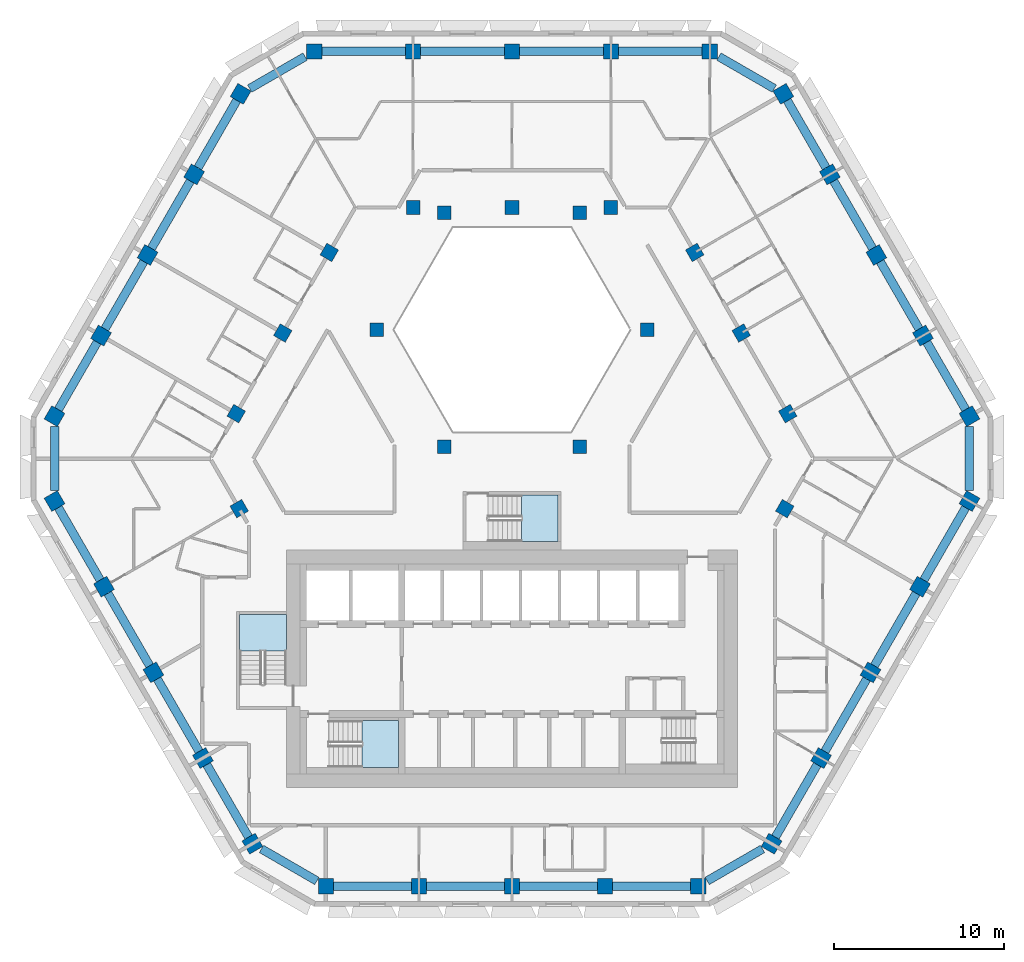
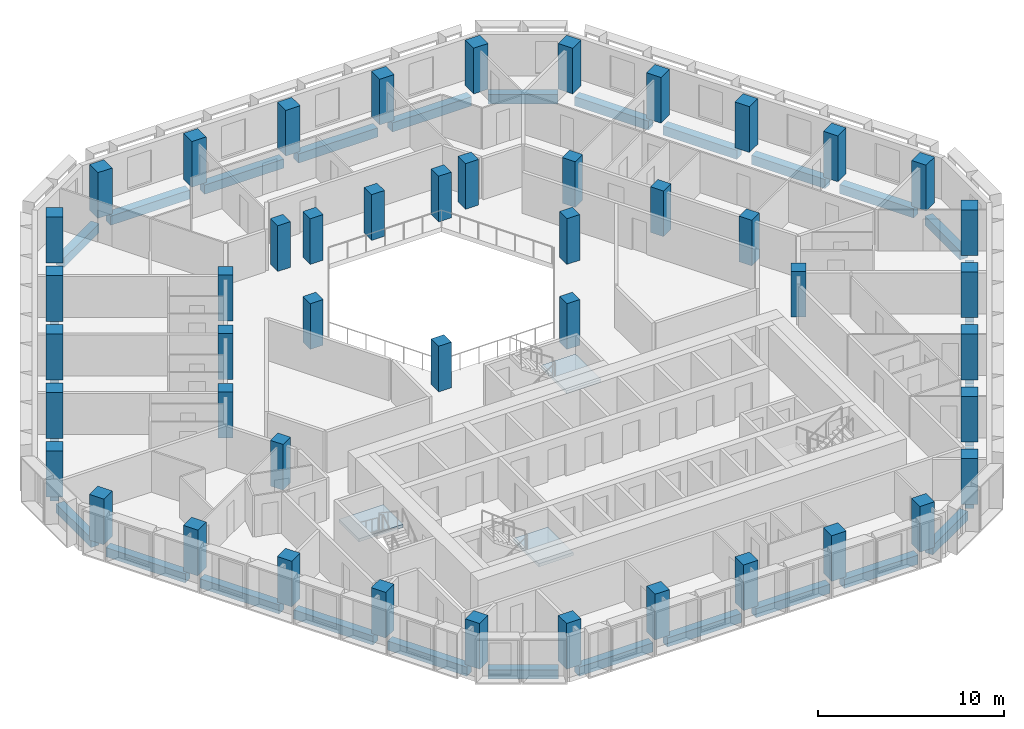
# One storey, part 1 of 15: 47 columns, 30 beams, 3 slabs, 3 elements without a shape of their own.
"""IFC4 building model written with IfcOpenShell, lengths in metres."""

from ifc_helpers import new_model, si_unit, direction, frame, origin, origin_2d, place, context, subcontext, project, spatial, polyline, rectangle, outline, extrude, material, layer, layer_set, material_profile, profile_set, type_object, element, aggregate, save


model = new_model("IFC4")

# Units and contexts
model_context = context("Model", 3, precision=1e-05, world=origin(), true_north=direction((0.0, 1.0)))
body_context = subcontext(model_context, "Body", "Model", "MODEL_VIEW")
ifc_project = project(units=[si_unit("LENGTHUNIT", "METRE"), si_unit("AREAUNIT", "SQUARE_METRE"), si_unit("VOLUMEUNIT", "CUBIC_METRE"), si_unit("PLANEANGLEUNIT", "RADIAN"), si_unit("MASSUNIT", "GRAM", prefix="KILO")], contexts=[model_context])

# Site, building, storey
site_placement = place(None, origin())
site = spatial("IfcSite", under=ifc_project, at=site_placement, CompositionType="ELEMENT")
building_placement = place(site_placement, origin())
building = spatial("IfcBuilding", under=site, at=building_placement, Name="Beryl Residences", CompositionType="ELEMENT")
storey_placement = place(building_placement, frame((0.0, 0.0, 141.60009765625)))
storey = spatial("IfcBuildingStorey", under=building, at=storey_placement, Name="L43", CompositionType="ELEMENT", Elevation=141.60009765625)

# Columns
ifc_material_1 = material(Name="Concrete C60/75", Category="concrete")
ifc_material_profile_1 = material_profile(ifc_material_1, rectangle(XDim=0.89990234375, YDim=0.89990234375, at=origin_2d()))
ifc_profile_set_1 = profile_set([ifc_material_profile_1], Name="Concrete C60/75")
column_type_1 = type_object("IfcColumnType", Name="C3 tube column 900 x 900 C60/75", PredefinedType="COLUMN", material=ifc_profile_set_1)
for number, where, z_axis, x_axis, name in (
    (1, (11.662109375, 24.39990234375, 0.0), (0.0, 0.0, 1.0), (-1.0, 0.0, 0.0), "C3-N1 L43"),
    (2, (5.8310546875, 24.39990234375, 0.0), (0.0, 0.0, 1.0), (-1.0, 0.0, 0.0), "C3-N2 L43"),
    (3, (0.0, 24.39990234375, 0.0), (0.0, 0.0, 1.0), (-1.0, 0.0, 0.0), "C3-N3 L43"),
    (4, (-5.8310546875, 24.39990234375, 0.0), (0.0, 0.0, 1.0), (-1.0, 0.0, 0.0), "C3-N4 L43"),
    (5, (-11.662109375, 24.39990234375, 0.0), (0.0, 0.0, 1.0), (-1.0, 0.0, 0.0), "C3-N5 L43"),
    (6, (-15.992919921875, 21.89990234375, 0.0), (0.0, 0.0, 1.0), (-0.5, -0.866025403784, 0.0), "C3-NW1 L43"),
    (7, (-18.735107421875, 17.14990234375, 0.0), (0.0, 0.0, 1.0), (-0.5, -0.866025403784, 0.0), "C3-NW2 L43"),
    (8, (-21.47802734375, 12.39990234375, 0.0), (0.0, 0.0, 1.0), (-0.5, -0.866025403784, 0.0), "C3-NW3 L43"),
    (9, (-24.219970703125, 7.64990234375, 0.0), (0.0, 0.0, 1.0), (-0.5, -0.866025403784, 0.0), "C3-NW4 L43"),
    (10, (-26.962890625, 2.89990234375, 0.0), (0.0, 0.0, 1.0), (-0.5, -0.866025403784, 0.0), "C3-NW5 L43"),
    (11, (-26.9619140625, -2.10009765625, 0.0), (0.0, 0.0, 1.0), (0.5, -0.866025403784, 0.0), "C3-SW1 L43"),
    (12, (-24.047119140625, -7.14892578125, 0.0), (0.0, 0.0, 1.0), (0.5, -0.866025403784, 0.0), "C3-SW2 L43"),
    (13, (-21.131103515625, -12.198974609375, 0.0), (0.0, 0.0, 1.0), (0.5, -0.866025403784, 0.0), "C3-SW3 L43"),
    (14, (-18.216064453125, -17.2490234375, 0.0), (0.0, 0.0, 1.0), (0.5, -0.866025403784, 0.0), "C3-SW4 L43"),
    (15, (-15.300048828125, -22.299072265625, 0.0), (0.0, 0.0, 1.0), (0.5, -0.866025403784, 0.0), "C3-SW5 L43"),
    (16, (-10.968994140625, -24.800048828125, 0.0), (0.0, 0.0, 1.0), (1.0, 0.0, 0.0), "C3-S1 L43"),
    (17, (-5.48388671875, -24.800048828125, 0.0), (0.0, 0.0, 1.0), (1.0, 0.0, 0.0), "C3-S2 L43"),
    (18, (0.0009765625, -24.800048828125, 0.0), (0.0, 0.0, 1.0), (1.0, 0.0, 0.0), "C3-S3 L43"),
    (19, (5.486083984375, -24.800048828125, 0.0), (0.0, 0.0, 1.0), (1.0, 0.0, 0.0), "C3-S4 L43"),
    (20, (10.970947265625, -24.800048828125, 0.0), (0.0, 0.0, 1.0), (1.0, 0.0, 0.0), "C3-S5 L43"),
    (21, (15.299072265625, -22.300048828125, 0.0), (0.0, 0.0, 1.0), (0.5, 0.866025403784, 0.0), "C3-SE1 L43"),
    (22, (18.215087890625, -17.2509765625, 0.0), (0.0, 0.0, 1.0), (0.5, 0.866025403784, 0.0), "C3-SE2 L43"),
    (23, (21.1298828125, -12.200927734375, 0.0), (0.0, 0.0, 1.0), (0.5, 0.866025403784, 0.0), "C3-SE3 L43"),
    (24, (24.0458984375, -7.15087890625, 0.0), (0.0, 0.0, 1.0), (0.5, 0.866025403784, 0.0), "C3-SE4 L43"),
    (25, (26.9609375, -2.10107421875, 0.0), (0.0, 0.0, 1.0), (0.5, 0.866025403784, 0.0), "C3-SE5 L43"),
    (26, (26.962890625, 2.89990234375, 0.0), (0.0, 0.0, 1.0), (-0.5, 0.866025403784, 0.0), "C3-NE1 L43"),
    (27, (24.219970703125, 7.64990234375, 0.0), (0.0, 0.0, 1.0), (-0.5, 0.866025403784, 0.0), "C3-NE2 L43"),
    (28, (21.47802734375, 12.39990234375, 0.0), (0.0, 0.0, 1.0), (-0.5, 0.866025403784, 0.0), "C3-NE3 L43"),
    (29, (18.735107421875, 17.14990234375, 0.0), (0.0, 0.0, 1.0), (-0.5, 0.866025403784, 0.0), "C3-NE4 L43"),
    (30, (15.992919921875, 21.89990234375, 0.0), (0.0, 0.0, 1.0), (-0.5, 0.866025403784, 0.0), "C3-NE5 L43"),
):
    element("IfcColumn", number, at=place(storey_placement, frame(where, z_axis=z_axis, x_axis=x_axis)), inside=storey, type_object=column_type_1, Name=name, PredefinedType="COLUMN", context=body_context, shape_type="SweptSolid", body=[
        extrude(rectangle(XDim=0.89990234375, YDim=0.89990234375, at=origin_2d()), origin(), (0.0, 0.0, 1.0), 3.0),
    ])
ifc_material_2 = material(Name="Concrete C60/75", Category="concrete")
ifc_material_profile_2 = material_profile(ifc_material_2, rectangle(XDim=0.800048828125, YDim=0.800048828125, at=origin_2d()))
ifc_profile_set_2 = profile_set([ifc_material_profile_2], Name="Concrete C60/75")
column_type_2 = type_object("IfcColumnType", Name="IC3 interior column 800 x 800 C60/75", PredefinedType="COLUMN", material=ifc_profile_set_2)
for number, where, z_axis, x_axis, name in (
    (31, (-16.0791015625, -2.549072265625, 0.0), (0.0, 0.0, 1.0), (0.5, -0.866025403784, 0.0), "IC3-M01 L43"),
    (32, (16.077880859375, -2.551025390625, 0.0), (0.0, 0.0, 1.0), (0.5, 0.866025403784, 0.0), "IC3-M02 L43"),
    (33, (16.2529296875, 3.050048828125, 0.0), (0.0, 0.0, 1.0), (-0.5, 0.866025403784, 0.0), "IC3-M03 L43"),
    (34, (3.98388671875, 1.10009765625, 0.0), (0.0, 0.0, 1.0), (1.0, 0.0, 0.0), "IC3-A04 L43"),
    (35, (13.510009765625, 7.800048828125, 0.0), (0.0, 0.0, 1.0), (-0.5, 0.866025403784, 0.0), "IC3-M05 L43"),
    (36, (7.967041015625, 8.0, 0.0), (0.0, 0.0, 1.0), (1.0, 0.0, 0.0), "IC3-A06 L43"),
    (37, (10.76806640625, 12.550048828125, 0.0), (0.0, 0.0, 1.0), (-0.5, 0.866025403784, 0.0), "IC3-M07 L43"),
    (38, (5.8310546875, 15.199951171875, 0.0), (0.0, 0.0, 1.0), (-1.0, 0.0, 0.0), "IC3-M08 L43"),
    (39, (3.98388671875, 14.89990234375, 0.0), (0.0, 0.0, 1.0), (1.0, 0.0, 0.0), "IC3-A09 L43"),
    (40, (0.0, 15.199951171875, 0.0), (0.0, 0.0, 1.0), (-1.0, 0.0, 0.0), "IC3-M10 L43"),
    (41, (-3.98388671875, 14.89990234375, 0.0), (0.0, 0.0, 1.0), (1.0, 0.0, 0.0), "IC3-A11 L43"),
    (42, (-5.8310546875, 15.199951171875, 0.0), (0.0, 0.0, 1.0), (-1.0, 0.0, 0.0), "IC3-M12 L43"),
    (43, (-10.76806640625, 12.550048828125, 0.0), (0.0, 0.0, 1.0), (-0.5, -0.866025403784, 0.0), "IC3-M13 L43"),
    (44, (-7.967041015625, 8.0, 0.0), (0.0, 0.0, 1.0), (1.0, 0.0, 0.0), "IC3-A14 L43"),
    (45, (-13.510009765625, 7.800048828125, 0.0), (0.0, 0.0, 1.0), (-0.5, -0.866025403784, 0.0), "IC3-M15 L43"),
    (46, (-3.98388671875, 1.10009765625, 0.0), (0.0, 0.0, 1.0), (1.0, 0.0, 0.0), "IC3-A16 L43"),
    (47, (-16.2529296875, 3.050048828125, 0.0), (0.0, 0.0, 1.0), (-0.5, -0.866025403784, 0.0), "IC3-M17 L43"),
):
    element("IfcColumn", number, at=place(storey_placement, frame(where, z_axis=z_axis, x_axis=x_axis)), inside=storey, type_object=column_type_2, Name=name, PredefinedType="COLUMN", context=body_context, shape_type="SweptSolid", body=[
        extrude(rectangle(XDim=0.800048828125, YDim=0.800048828125, at=origin_2d()), origin(), (0.0, 0.0, 1.0), 3.0),
    ])

# Beams
ifc_material_3 = material(Name="Concrete C60/75", Category="concrete")
ifc_material_profile_3 = material_profile(ifc_material_3, rectangle(XDim=0.5, YDim=0.60009765625, at=origin_2d()))
ifc_profile_set_3 = profile_set([ifc_material_profile_3], Name="Concrete C60/75")
beam_type = type_object("IfcBeamType", Name="SB3 spandrel beam 500 x 600 C60/75", PredefinedType="SPANDREL", material=ifc_profile_set_3)
beam_1_placement = place(storey_placement, frame((11.2119140625, 24.39990234375, -0.60009765625), z_axis=(-1.0, 0.0, 0.0), x_axis=(0.0, -1.0, 0.0)))
element("IfcBeam", 48, at=beam_1_placement, inside=storey, type_object=beam_type, Name="SB3 L43 N-0", PredefinedType="SPANDREL", context=body_context, shape_type="SweptSolid", body=[
    extrude(rectangle(XDim=0.5, YDim=0.60009765625, at=origin_2d()), origin(), (0.0, 0.0, 1.0), 4.930908203125),
])
for number, where, z_axis, x_axis, name in (
    (49, (5.381103515625, 24.39990234375, -0.60009765625), (-1.0, 0.0, 0.0), (0.0, -1.0, 0.0), "SB3 L43 N-1"),
    (50, (-0.449951171875, 24.39990234375, -0.60009765625), (-1.0, 0.0, 0.0), (0.0, -1.0, 0.0), "SB3 L43 N-2"),
):
    element("IfcBeam", number, at=place(storey_placement, frame(where, z_axis=z_axis, x_axis=x_axis)), inside=storey, type_object=beam_type, Name=name, PredefinedType="SPANDREL", context=body_context, shape_type="SweptSolid", body=[
        extrude(rectangle(XDim=0.5, YDim=0.60009765625, at=origin_2d()), origin(), (0.0, 0.0, 1.0), 4.93115234375),
    ])
beam_2_placement = place(storey_placement, frame((-6.281005859375, 24.39990234375, -0.60009765625), z_axis=(-1.0, 0.0, 0.0), x_axis=(0.0, -1.0, 0.0)))
element("IfcBeam", 51, at=beam_2_placement, inside=storey, type_object=beam_type, Name="SB3 L43 N-3", PredefinedType="SPANDREL", context=body_context, shape_type="SweptSolid", body=[
    extrude(rectangle(XDim=0.5, YDim=0.60009765625, at=origin_2d()), origin(), (0.0, 0.0, 1.0), 4.930908203125),
])
beam_3_placement = place(storey_placement, frame((-12.194091796875, 24.093017578125, -0.60009765625), z_axis=(-0.866040087317, -0.499974566514, 0.0), x_axis=(0.499974566514, -0.866040087317, 0.0)))
element("IfcBeam", 52, at=beam_3_placement, inside=storey, type_object=beam_type, Name="SB3 L43 N-4", PredefinedType="SPANDREL", context=body_context, shape_type="SweptSolid", body=[
    extrude(rectangle(XDim=0.5, YDim=0.60009765625, at=origin_2d()), origin(), (0.0, 0.0, 1.0), 3.772216796875),
])
beam_4_placement = place(storey_placement, frame((-16.218017578125, 21.510009765625, -0.60009765625), z_axis=(-0.49998830735, -0.866032154434, 0.0), x_axis=(0.866032154434, -0.49998830735, 0.0)))
element("IfcBeam", 53, at=beam_4_placement, inside=storey, type_object=beam_type, Name="SB3 L43 NW-0", PredefinedType="SPANDREL", context=body_context, shape_type="SweptSolid", body=[
    extrude(rectangle(XDim=0.5, YDim=0.60009765625, at=origin_2d()), origin(), (0.0, 0.0, 1.0), 4.583984375),
])
beam_5_placement = place(storey_placement, frame((-18.9599609375, 16.760009765625, -0.60009765625), z_axis=(-0.500148059018, -0.865939904993, 0.0), x_axis=(0.865939904993, -0.500148059018, 0.0)))
element("IfcBeam", 54, at=beam_5_placement, inside=storey, type_object=beam_type, Name="SB3 L43 NW-1", PredefinedType="SPANDREL", context=body_context, shape_type="SweptSolid", body=[
    extrude(rectangle(XDim=0.5, YDim=0.60009765625, at=origin_2d()), origin(), (0.0, 0.0, 1.0), 4.58447265625),
])
beam_6_placement = place(storey_placement, frame((-21.702880859375, 12.010009765625, -0.60009765625), z_axis=(-0.500028250054, -0.866009092994, 0.0), x_axis=(0.866009092994, -0.500028250054, 0.0)))
element("IfcBeam", 55, at=beam_6_placement, inside=storey, type_object=beam_type, Name="SB3 L43 NW-2", PredefinedType="SPANDREL", context=body_context, shape_type="SweptSolid", body=[
    extrude(rectangle(XDim=0.5, YDim=0.60009765625, at=origin_2d()), origin(), (0.0, 0.0, 1.0), 4.584228515625),
])
beam_7_placement = place(storey_placement, frame((-24.445068359375, 7.260009765625, -0.60009765625), z_axis=(-0.500148059018, -0.865939904993, 0.0), x_axis=(0.865939904993, -0.500148059018, 0.0)))
element("IfcBeam", 56, at=beam_7_placement, inside=storey, type_object=beam_type, Name="SB3 L43 NW-3", PredefinedType="SPANDREL", context=body_context, shape_type="SweptSolid", body=[
    extrude(rectangle(XDim=0.5, YDim=0.60009765625, at=origin_2d()), origin(), (0.0, 0.0, 1.0), 4.58447265625),
])
beam_8_placement = place(storey_placement, frame((-26.962890625, 2.285888671875, -0.60009765625), z_axis=(0.000258899668, -0.999999966485, 0.0), x_axis=(0.999999966485, 0.000258899668, 0.0)))
element("IfcBeam", 57, at=beam_8_placement, inside=storey, type_object=beam_type, Name="SB3 L43 NW-4", PredefinedType="SPANDREL", context=body_context, shape_type="SweptSolid", body=[
    extrude(rectangle(XDim=0.5, YDim=0.60009765625, at=origin_2d()), origin(), (0.0, 0.0, 1.0), 3.77197265625),
])
beam_9_placement = place(storey_placement, frame((-26.737060546875, -2.489990234375, -0.60009765625), z_axis=(0.50005397607, -0.865994238443, 0.0), x_axis=(0.865994238443, 0.50005397607, 0.0)))
element("IfcBeam", 58, at=beam_9_placement, inside=storey, type_object=beam_type, Name="SB3 L43 SW-0", PredefinedType="SPANDREL", context=body_context, shape_type="SweptSolid", body=[
    extrude(rectangle(XDim=0.5, YDim=0.60009765625, at=origin_2d()), origin(), (0.0, 0.0, 1.0), 4.9296875),
])
beam_10_placement = place(storey_placement, frame((-23.822021484375, -7.5390625, -0.60009765625), z_axis=(0.500116736097, -0.865957995677, 0.0), x_axis=(0.865957995677, 0.500116736097, 0.0)))
element("IfcBeam", 59, at=beam_10_placement, inside=storey, type_object=beam_type, Name="SB3 L43 SW-1", PredefinedType="SPANDREL", context=body_context, shape_type="SweptSolid", body=[
    extrude(rectangle(XDim=0.5, YDim=0.60009765625, at=origin_2d()), origin(), (0.0, 0.0, 1.0), 4.930908203125),
])
beam_11_placement = place(storey_placement, frame((-20.906005859375, -12.589111328125, -0.60009765625), z_axis=(0.499989643469, -0.866031383048, 0.0), x_axis=(0.866031383048, 0.499989643469, 0.0)))
element("IfcBeam", 60, at=beam_11_placement, inside=storey, type_object=beam_type, Name="SB3 L43 SW-2", PredefinedType="SPANDREL", context=body_context, shape_type="SweptSolid", body=[
    extrude(rectangle(XDim=0.5, YDim=0.60009765625, at=origin_2d()), origin(), (0.0, 0.0, 1.0), 4.93017578125),
])
beam_12_placement = place(storey_placement, frame((-17.990966796875, -17.638916015625, -0.60009765625), z_axis=(0.500116736097, -0.865957995677, 0.0), x_axis=(0.865957995677, 0.500116736097, 0.0)))
element("IfcBeam", 61, at=beam_12_placement, inside=storey, type_object=beam_type, Name="SB3 L43 SW-3", PredefinedType="SPANDREL", context=body_context, shape_type="SweptSolid", body=[
    extrude(rectangle(XDim=0.5, YDim=0.60009765625, at=origin_2d()), origin(), (0.0, 0.0, 1.0), 4.930908203125),
])
beam_13_placement = place(storey_placement, frame((-14.76806640625, -22.60595703125, -0.60009765625), z_axis=(0.865944170592, -0.500140673629, 0.0), x_axis=(0.500140673629, 0.865944170592, 0.0)))
element("IfcBeam", 62, at=beam_13_placement, inside=storey, type_object=beam_type, Name="SB3 L43 SW-4", PredefinedType="SPANDREL", context=body_context, shape_type="SweptSolid", body=[
    extrude(rectangle(XDim=0.5, YDim=0.60009765625, at=origin_2d()), origin(), (0.0, 0.0, 1.0), 3.77294921875),
])
for number, where, z_axis, x_axis, name in (
    (63, (-10.51904296875, -24.800048828125, -0.60009765625), (1.0, 0.0, 0.0), (0.0, 1.0, 0.0), "SB3 L43 S-0"),
    (64, (-5.033935546875, -24.800048828125, -0.60009765625), (1.0, 0.0, 0.0), (0.0, 1.0, 0.0), "SB3 L43 S-1"),
    (65, (0.450927734375, -24.800048828125, -0.60009765625), (1.0, 0.0, 0.0), (0.0, 1.0, 0.0), "SB3 L43 S-2"),
    (66, (5.93603515625, -24.800048828125, -0.60009765625), (1.0, 0.0, 0.0), (0.0, 1.0, 0.0), "SB3 L43 S-3"),
):
    element("IfcBeam", number, at=place(storey_placement, frame(where, z_axis=z_axis, x_axis=x_axis)), inside=storey, type_object=beam_type, Name=name, PredefinedType="SPANDREL", context=body_context, shape_type="SweptSolid", body=[
        extrude(rectangle(XDim=0.5, YDim=0.60009765625, at=origin_2d()), origin(), (0.0, 0.0, 1.0), 4.5849609375),
    ])
beam_14_placement = place(storey_placement, frame((11.5029296875, -24.492919921875, -0.60009765625), z_axis=(0.865861956233, 0.500282992663, 0.0), x_axis=(-0.500282992663, 0.865861956233, 0.0)))
element("IfcBeam", 67, at=beam_14_placement, inside=storey, type_object=beam_type, Name="SB3 L43 S-4", PredefinedType="SPANDREL", context=body_context, shape_type="SweptSolid", body=[
    extrude(rectangle(XDim=0.5, YDim=0.60009765625, at=origin_2d()), origin(), (0.0, 0.0, 1.0), 3.769775390625),
])
beam_15_placement = place(storey_placement, frame((15.52392578125, -21.909912109375, -0.60009765625), z_axis=(0.500223967704, 0.86589605735, 0.0), x_axis=(-0.86589605735, 0.500223967704, 0.0)))
element("IfcBeam", 68, at=beam_15_placement, inside=storey, type_object=beam_type, Name="SB3 L43 SE-0", PredefinedType="SPANDREL", context=body_context, shape_type="SweptSolid", body=[
    extrude(rectangle(XDim=0.5, YDim=0.60009765625, at=origin_2d()), origin(), (0.0, 0.0, 1.0), 4.929931640625),
])
beam_16_placement = place(storey_placement, frame((18.43994140625, -16.861083984375, -0.60009765625), z_axis=(0.499968202334, 0.866043761397, 0.0), x_axis=(-0.866043761397, 0.499968202334, 0.0)))
element("IfcBeam", 69, at=beam_16_placement, inside=storey, type_object=beam_type, Name="SB3 L43 SE-1", PredefinedType="SPANDREL", context=body_context, shape_type="SweptSolid", body=[
    extrude(rectangle(XDim=0.5, YDim=0.60009765625, at=origin_2d()), origin(), (0.0, 0.0, 1.0), 4.930419921875),
])
beam_17_placement = place(storey_placement, frame((21.35498046875, -11.81103515625, -0.60009765625), z_axis=(0.500116736097, 0.865957995677, 0.0), x_axis=(-0.865957995677, 0.500116736097, 0.0)))
element("IfcBeam", 70, at=beam_17_placement, inside=storey, type_object=beam_type, Name="SB3 L43 SE-2", PredefinedType="SPANDREL", context=body_context, shape_type="SweptSolid", body=[
    extrude(rectangle(XDim=0.5, YDim=0.60009765625, at=origin_2d()), origin(), (0.0, 0.0, 1.0), 4.930908203125),
])
beam_18_placement = place(storey_placement, frame((24.27099609375, -6.760986328125, -0.60009765625), z_axis=(0.499968202334, 0.866043761397, 0.0), x_axis=(-0.866043761397, 0.499968202334, 0.0)))
element("IfcBeam", 71, at=beam_18_placement, inside=storey, type_object=beam_type, Name="SB3 L43 SE-3", PredefinedType="SPANDREL", context=body_context, shape_type="SweptSolid", body=[
    extrude(rectangle(XDim=0.5, YDim=0.60009765625, at=origin_2d()), origin(), (0.0, 0.0, 1.0), 4.930419921875),
])
beam_19_placement = place(storey_placement, frame((26.9609375, -1.487060546875, -0.60009765625), z_axis=(0.00051766526, 0.999999866011, 0.0), x_axis=(-0.999999866011, 0.00051766526, 0.0)))
element("IfcBeam", 72, at=beam_19_placement, inside=storey, type_object=beam_type, Name="SB3 L43 SE-4", PredefinedType="SPANDREL", context=body_context, shape_type="SweptSolid", body=[
    extrude(rectangle(XDim=0.5, YDim=0.60009765625, at=origin_2d()), origin(), (0.0, 0.0, 1.0), 3.77294921875),
])
beam_20_placement = place(storey_placement, frame((26.738037109375, 3.2900390625, -0.60009765625), z_axis=(-0.500148059018, 0.865939904993, 0.0), x_axis=(-0.865939904993, -0.500148059018, 0.0)))
element("IfcBeam", 73, at=beam_20_placement, inside=storey, type_object=beam_type, Name="SB3 L43 NE-0", PredefinedType="SPANDREL", context=body_context, shape_type="SweptSolid", body=[
    extrude(rectangle(XDim=0.5, YDim=0.60009765625, at=origin_2d()), origin(), (0.0, 0.0, 1.0), 4.58447265625),
])
beam_21_placement = place(storey_placement, frame((23.9951171875, 8.0400390625, -0.60009765625), z_axis=(-0.500028250054, 0.866009092994, 0.0), x_axis=(-0.866009092994, -0.500028250054, 0.0)))
element("IfcBeam", 74, at=beam_21_placement, inside=storey, type_object=beam_type, Name="SB3 L43 NE-1", PredefinedType="SPANDREL", context=body_context, shape_type="SweptSolid", body=[
    extrude(rectangle(XDim=0.5, YDim=0.60009765625, at=origin_2d()), origin(), (0.0, 0.0, 1.0), 4.584228515625),
])
beam_22_placement = place(storey_placement, frame((21.2529296875, 12.7900390625, -0.60009765625), z_axis=(-0.500148059018, 0.865939904993, 0.0), x_axis=(-0.865939904993, -0.500148059018, 0.0)))
element("IfcBeam", 75, at=beam_22_placement, inside=storey, type_object=beam_type, Name="SB3 L43 NE-2", PredefinedType="SPANDREL", context=body_context, shape_type="SweptSolid", body=[
    extrude(rectangle(XDim=0.5, YDim=0.60009765625, at=origin_2d()), origin(), (0.0, 0.0, 1.0), 4.58447265625),
])
beam_23_placement = place(storey_placement, frame((18.510009765625, 17.5400390625, -0.60009765625), z_axis=(-0.49998830735, 0.866032154434, 0.0), x_axis=(-0.866032154434, -0.49998830735, 0.0)))
element("IfcBeam", 76, at=beam_23_placement, inside=storey, type_object=beam_type, Name="SB3 L43 NE-3", PredefinedType="SPANDREL", context=body_context, shape_type="SweptSolid", body=[
    extrude(rectangle(XDim=0.5, YDim=0.60009765625, at=origin_2d()), origin(), (0.0, 0.0, 1.0), 4.583984375),
])
beam_24_placement = place(storey_placement, frame((15.4609375, 22.20703125, -0.60009765625), z_axis=(-0.866040087317, 0.499974566514, 0.0), x_axis=(-0.499974566514, -0.866040087317, 0.0)))
element("IfcBeam", 77, at=beam_24_placement, inside=storey, type_object=beam_type, Name="SB3 L43 NE-4", PredefinedType="SPANDREL", context=body_context, shape_type="SweptSolid", body=[
    extrude(rectangle(XDim=0.5, YDim=0.60009765625, at=origin_2d()), origin(), (0.0, 0.0, 1.0), 3.772216796875),
])

# Stair, slab
ifc_material_4 = material(Name="Concrete C40/50", Category="concrete")
stair_type = type_object("IfcStairType", Name="ST1 protected exit stair, half-turn, 1300 mm flights", PredefinedType="HALF_TURN_STAIR", material=ifc_material_4)
stair_1_placement = place(storey_placement, origin())
stair_1 = element("IfcStair", 78, at=stair_1_placement, inside=storey, type_object=stair_type, Name="L43 PROTECTED EXIT STAIR ST-1", PredefinedType="HALF_TURN_STAIR")
ifc_material_5 = material(Name="Concrete C40/50", Category="concrete")
ifc_layer = layer(ifc_material_5, 0.199951171875)
ifc_layer_set = layer_set([ifc_layer], Name="SLD1 stair landing 200 mm")
slab_type = type_object("IfcSlabType", Name="SLD1 stair landing 200 mm", PredefinedType="LANDING", material=ifc_layer_set)
slab_1_placement = place(storey_placement, frame((0.0, 0.0, 1.2998046875)))
slab_1 = element("IfcSlab", 79, at=slab_1_placement, type_object=slab_type, Name="ST-1 landing 1", PredefinedType="LANDING", context=body_context, shape_type="SweptSolid", body=[
    extrude(outline(polyline([(-8.840087890625, -17.800048828125), (-6.699951171875, -17.800048828125), (-6.699951171875, -15.050048828125), (-8.840087890625, -15.050048828125), (-8.840087890625, -17.800048828125)])), origin(), (0.0, 0.0, 1.0), 0.2001953125),
])
aggregate(stair_1, [slab_1])

stair_2_placement = place(storey_placement, origin())
stair_2 = element("IfcStair", 80, at=stair_2_placement, inside=storey, type_object=stair_type, Name="L43 PROTECTED EXIT STAIR ST-2", PredefinedType="HALF_TURN_STAIR")
slab_2_placement = place(storey_placement, frame((0.0, 0.0, 1.2998046875)))
slab_2 = element("IfcSlab", 81, at=slab_2_placement, type_object=slab_type, Name="ST-2 landing 1", PredefinedType="LANDING", context=body_context, shape_type="SweptSolid", body=[
    extrude(outline(polyline([(-13.300048828125, -10.93994140625), (-13.300048828125, -8.800048828125), (-16.050048828125, -8.800048828125), (-16.050048828125, -10.93994140625), (-13.300048828125, -10.93994140625)])), origin(), (0.0, 0.0, 1.0), 0.2001953125),
])
aggregate(stair_2, [slab_2])

stair_3_placement = place(storey_placement, origin())
stair_3 = element("IfcStair", 82, at=stair_3_placement, inside=storey, type_object=stair_type, Name="L43 PROTECTED EXIT STAIR ST-4", PredefinedType="HALF_TURN_STAIR")
slab_3_placement = place(storey_placement, frame((0.0, 0.0, 1.2998046875)))
slab_3 = element("IfcSlab", 83, at=slab_3_placement, type_object=slab_type, Name="ST-4 landing 1", PredefinedType="LANDING", context=body_context, shape_type="SweptSolid", body=[
    extrude(outline(polyline([(0.56005859375, -4.5), (2.699951171875, -4.5), (2.699951171875, -1.75), (0.56005859375, -1.75), (0.56005859375, -4.5)])), origin(), (0.0, 0.0, 1.0), 0.2001953125),
])
aggregate(stair_3, [slab_3])

save(model, "model.ifc")
